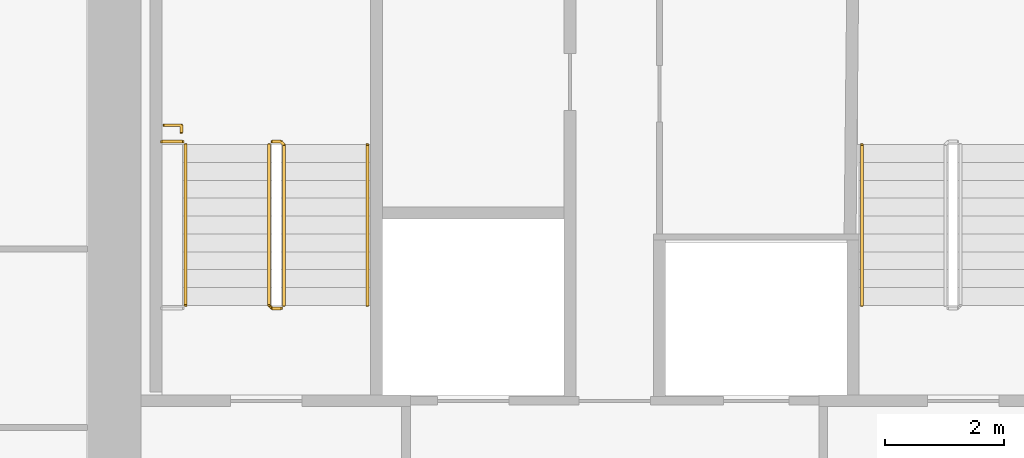
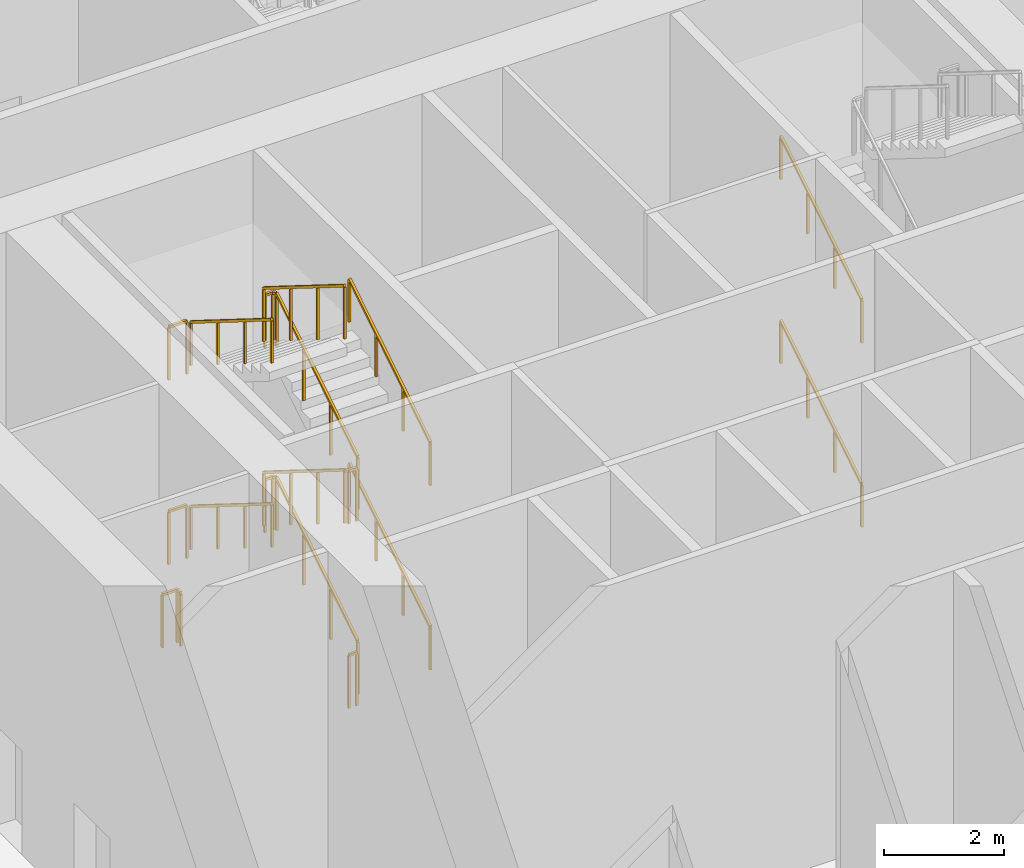
# One storey, part 41 of 53: 14 railings.
"""IFC4 building model written with IfcOpenShell, lengths in metres."""

from ifc_helpers import new_model, si_unit, direction, frame, origin, origin_2d, place, context, subcontext, project, spatial, rectangle, extrude, material, type_object, element, save


model = new_model("IFC4")

# Units and contexts
model_context = context("Model", 3, precision=1e-05, world=origin(), true_north=direction((0.0, 1.0)))
body_context = subcontext(model_context, "Body", "Model", "MODEL_VIEW")
ifc_project = project(units=[si_unit("LENGTHUNIT", "METRE"), si_unit("AREAUNIT", "SQUARE_METRE"), si_unit("VOLUMEUNIT", "CUBIC_METRE"), si_unit("PLANEANGLEUNIT", "RADIAN"), si_unit("MASSUNIT", "GRAM", prefix="KILO")], contexts=[model_context])

# Site, building, storey
site_placement = place(None, origin())
site = spatial("IfcSite", under=ifc_project, at=site_placement, CompositionType="ELEMENT")
building_placement = place(site_placement, origin())
building = spatial("IfcBuilding", under=site, at=building_placement, Name="Vermilion Ogive Tower", CompositionType="ELEMENT")
storey_placement = place(building_placement, origin())
storey = spatial("IfcBuildingStorey", under=building, at=storey_placement, Name="L00", CompositionType="ELEMENT", Elevation=0.0)

# Railings
ifc_material_1 = material(Name="Steel S355 painted", Category="steel")
railing_type_1 = type_object("IfcRailingType", Name="Stair guard 1100", PredefinedType="GUARDRAIL", material=ifc_material_1)
railing_1_placement = place(storey_placement, frame((-5.550048828125, 14.85009765625, 0.1875)))
element("IfcRailing", 1, at=railing_1_placement, inside=storey, type_object=railing_type_1, Name="L00 ST1 stair guard 1", PredefinedType="GUARDRAIL", context=body_context, shape_type="SweptSolid", body=[
    extrude(rectangle(XDim=0.048095703125, YDim=0.048095703125, at=origin_2d()), frame((0.0, 0.0, 1.076171875), z_axis=(0.0, 0.847993996163, 0.530005832488), x_axis=(-1.0, 0.0, 0.0)), (0.0, 0.0, 1.0), 3.183837890625),
    extrude(rectangle(XDim=0.048095703125, YDim=0.048095703125, at=origin_2d()), frame((0.0, 2.699951171875, 2.763671875), z_axis=(-0.707106781187, 0.707106781187, 0.0), x_axis=(-0.707106781187, -0.707106781187, 0.0)), (0.0, 0.0, 1.0), 0.07080078125),
    extrude(rectangle(XDim=0.048095703125, YDim=0.048095703125, at=origin_2d()), frame((-0.050048828125, 2.75, 2.763671875), z_axis=(-1.0, 0.0, 0.0), x_axis=(0.0, -1.0, 0.0)), (0.0, 0.0, 1.0), 0.14990234375),
    extrude(rectangle(XDim=0.0419921875, YDim=0.0419921875, at=origin_2d()), origin(), (0.0, 0.0, 1.0), 1.052001953125),
    extrude(rectangle(XDim=0.0419921875, YDim=0.0419921875, at=origin_2d()), frame((0.0, 0.89990234375, 0.5625)), (0.0, 0.0, 1.0), 1.052001953125),
    extrude(rectangle(XDim=0.0419921875, YDim=0.0419921875, at=origin_2d()), frame((0.0, 1.800048828125, 1.125)), (0.0, 0.0, 1.0), 1.052001953125),
    extrude(rectangle(XDim=0.0419921875, YDim=0.0419921875, at=origin_2d()), frame((0.0, 2.699951171875, 1.6875)), (0.0, 0.0, 1.0), 1.052001953125),
    extrude(rectangle(XDim=0.0419921875, YDim=0.0419921875, at=origin_2d()), frame((-0.050048828125, 2.75, 1.6875)), (0.0, 0.0, 1.0), 1.052001953125),
    extrude(rectangle(XDim=0.0419921875, YDim=0.0419921875, at=origin_2d()), frame((-0.199951171875, 2.75, 1.6875)), (0.0, 0.0, 1.0), 1.052001953125),
])
railing_2_placement = place(storey_placement, frame((-5.800048828125, 17.550048828125, 2.0625)))
element("IfcRailing", 2, at=railing_2_placement, inside=storey, type_object=railing_type_1, Name="L00 ST1 stair guard 3", PredefinedType="GUARDRAIL", context=body_context, shape_type="SweptSolid", body=[
    extrude(rectangle(XDim=0.048095703125, YDim=0.048095703125, at=origin_2d()), frame((0.0, 0.0, 1.076171875), z_axis=(0.0, -0.847993996163, 0.530005832488), x_axis=(1.0, 0.0, 0.0)), (0.0, 0.0, 1.0), 3.183837890625),
    extrude(rectangle(XDim=0.048095703125, YDim=0.048095703125, at=origin_2d()), frame((0.0, -2.699951171875, 2.763671875), z_axis=(0.707106781187, -0.707106781187, 0.0), x_axis=(0.707106781187, 0.707106781187, 0.0)), (0.0, 0.0, 1.0), 0.07080078125),
    extrude(rectangle(XDim=0.048095703125, YDim=0.048095703125, at=origin_2d()), frame((0.050048828125, -2.75, 2.763671875), z_axis=(1.0, 0.0, 0.0), x_axis=(0.0, 1.0, 0.0)), (0.0, 0.0, 1.0), 0.14990234375),
    extrude(rectangle(XDim=0.0419921875, YDim=0.0419921875, at=origin_2d()), origin(), (0.0, 0.0, 1.0), 1.052001953125),
    extrude(rectangle(XDim=0.0419921875, YDim=0.0419921875, at=origin_2d()), frame((0.0, -0.89990234375, 0.5625)), (0.0, 0.0, 1.0), 1.052001953125),
    extrude(rectangle(XDim=0.0419921875, YDim=0.0419921875, at=origin_2d()), frame((0.0, -1.800048828125, 1.125)), (0.0, 0.0, 1.0), 1.052001953125),
    extrude(rectangle(XDim=0.0419921875, YDim=0.0419921875, at=origin_2d()), frame((0.0, -2.699951171875, 1.6875)), (0.0, 0.0, 1.0), 1.052001953125),
    extrude(rectangle(XDim=0.0419921875, YDim=0.0419921875, at=origin_2d()), frame((0.050048828125, -2.75, 1.6875)), (0.0, 0.0, 1.0), 1.052001953125),
    extrude(rectangle(XDim=0.0419921875, YDim=0.0419921875, at=origin_2d()), frame((0.199951171875, -2.75, 1.6875)), (0.0, 0.0, 1.0), 1.052001953125),
])
railing_3_placement = place(storey_placement, frame((-5.550048828125, 14.85009765625, 3.9375)))
element("IfcRailing", 3, at=railing_3_placement, inside=storey, type_object=railing_type_1, Name="L00 ST1 stair guard 5", PredefinedType="GUARDRAIL", context=body_context, shape_type="SweptSolid", body=[
    extrude(rectangle(XDim=0.048095703125, YDim=0.048095703125, at=origin_2d()), frame((0.0, 0.0, 1.076171875), z_axis=(0.0, 0.847993996163, 0.530005832488), x_axis=(-1.0, 0.0, 0.0)), (0.0, 0.0, 1.0), 3.183837890625),
    extrude(rectangle(XDim=0.048095703125, YDim=0.048095703125, at=origin_2d()), frame((0.0, 2.699951171875, 2.763671875), z_axis=(-0.707106781187, 0.707106781187, 0.0), x_axis=(-0.707106781187, -0.707106781187, 0.0)), (0.0, 0.0, 1.0), 0.07080078125),
    extrude(rectangle(XDim=0.048095703125, YDim=0.048095703125, at=origin_2d()), frame((-0.050048828125, 2.75, 2.763671875), z_axis=(-1.0, 0.0, 0.0), x_axis=(0.0, -1.0, 0.0)), (0.0, 0.0, 1.0), 0.14990234375),
    extrude(rectangle(XDim=0.0419921875, YDim=0.0419921875, at=origin_2d()), origin(), (0.0, 0.0, 1.0), 1.052001953125),
    extrude(rectangle(XDim=0.0419921875, YDim=0.0419921875, at=origin_2d()), frame((0.0, 0.89990234375, 0.5625)), (0.0, 0.0, 1.0), 1.052001953125),
    extrude(rectangle(XDim=0.0419921875, YDim=0.0419921875, at=origin_2d()), frame((0.0, 1.800048828125, 1.125)), (0.0, 0.0, 1.0), 1.052001953125),
    extrude(rectangle(XDim=0.0419921875, YDim=0.0419921875, at=origin_2d()), frame((0.0, 2.699951171875, 1.6875)), (0.0, 0.0, 1.0), 1.052001953125),
    extrude(rectangle(XDim=0.0419921875, YDim=0.0419921875, at=origin_2d()), frame((-0.050048828125, 2.75, 1.6875)), (0.0, 0.0, 1.0), 1.052001953125),
    extrude(rectangle(XDim=0.0419921875, YDim=0.0419921875, at=origin_2d()), frame((-0.199951171875, 2.75, 1.6875)), (0.0, 0.0, 1.0), 1.052001953125),
])
railing_4_placement = place(storey_placement, frame((-5.800048828125, 17.550048828125, 5.8125)))
element("IfcRailing", 4, at=railing_4_placement, inside=storey, type_object=railing_type_1, Name="L00 ST1 stair guard 7", PredefinedType="GUARDRAIL", context=body_context, shape_type="SweptSolid", body=[
    extrude(rectangle(XDim=0.048095703125, YDim=0.048095703125, at=origin_2d()), frame((0.0, 0.0, 1.076171875), z_axis=(0.0, -0.847993996163, 0.530005832488), x_axis=(1.0, 0.0, 0.0)), (0.0, 0.0, 1.0), 3.183837890625),
    extrude(rectangle(XDim=0.0419921875, YDim=0.0419921875, at=origin_2d()), origin(), (0.0, 0.0, 1.0), 1.052001953125),
    extrude(rectangle(XDim=0.0419921875, YDim=0.0419921875, at=origin_2d()), frame((0.0, -0.89990234375, 0.5625)), (0.0, 0.0, 1.0), 1.052001953125),
    extrude(rectangle(XDim=0.0419921875, YDim=0.0419921875, at=origin_2d()), frame((0.0, -1.800048828125, 1.125)), (0.0, 0.0, 1.0), 1.052001953125),
    extrude(rectangle(XDim=0.0419921875, YDim=0.0419921875, at=origin_2d()), frame((0.0, -2.699951171875, 1.6875)), (0.0, 0.0, 1.0), 1.052001953125),
])
railing_5_placement = place(storey_placement, frame((-5.60009765625, 14.800048828125, 0.0)))
element("IfcRailing", 5, at=railing_5_placement, inside=storey, type_object=railing_type_1, Name="L00 ST1 stair guard 8", PredefinedType="GUARDRAIL", context=body_context, shape_type="SweptSolid", body=[
    extrude(rectangle(XDim=0.048095703125, YDim=0.048095703125, at=origin_2d()), frame((0.0, 0.0, 1.076171875), z_axis=(-1.0, 0.0, 0.0), x_axis=(0.0, -1.0, 0.0)), (0.0, 0.0, 1.0), 0.14990234375),
    extrude(rectangle(XDim=0.0419921875, YDim=0.0419921875, at=origin_2d()), origin(), (0.0, 0.0, 1.0), 1.052001953125),
    extrude(rectangle(XDim=0.0419921875, YDim=0.0419921875, at=origin_2d()), frame((-0.14990234375, 0.0, 0.0)), (0.0, 0.0, 1.0), 1.052001953125),
])
for number, where, name in (
    (6, (-7.60009765625, 17.60009765625, 1.875), "L00 landing guard"),
    (7, (-7.60009765625, 17.60009765625, 5.625), "L00 landing guard"),
):
    element("IfcRailing", number, at=place(storey_placement, frame(where)), inside=storey, type_object=railing_type_1, Name=name, PredefinedType="GUARDRAIL", context=body_context, shape_type="SweptSolid", body=[
        extrude(rectangle(XDim=0.048095703125, YDim=0.048095703125, at=origin_2d()), frame((0.0, 0.0, 1.076171875), z_axis=(1.0, 0.0, 0.0), x_axis=(0.0, 1.0, 0.0)), (0.0, 0.0, 1.0), 0.35009765625),
        extrude(rectangle(XDim=0.0419921875, YDim=0.0419921875, at=origin_2d()), origin(), (0.0, 0.0, 1.0), 1.052001953125),
        extrude(rectangle(XDim=0.0419921875, YDim=0.0419921875, at=origin_2d()), frame((0.35009765625, 0.0, 0.0)), (0.0, 0.0, 1.0), 1.052001953125),
    ])
railing_6_placement = place(storey_placement, frame((-7.56298828125, 17.87451171875, 0.0)))
element("IfcRailing", 8, at=railing_6_placement, inside=storey, type_object=railing_type_1, Name="L00 stair opening guard", PredefinedType="GUARDRAIL", context=body_context, shape_type="SweptSolid", body=[
    extrude(rectangle(XDim=0.048095703125, YDim=0.048095703125, at=origin_2d()), frame((0.0, 0.0, 1.076171875), z_axis=(1.0, 0.0, 0.0), x_axis=(0.0, 1.0, 0.0)), (0.0, 0.0, 1.0), 0.2900390625),
    extrude(rectangle(XDim=0.048095703125, YDim=0.048095703125, at=origin_2d()), frame((0.2900390625, 0.0, 1.076171875), z_axis=(0.0, -1.0, 0.0), x_axis=(1.0, 0.0, 0.0)), (0.0, 0.0, 1.0), 0.119873046875),
    extrude(rectangle(XDim=0.0419921875, YDim=0.0419921875, at=origin_2d()), origin(), (0.0, 0.0, 1.0), 1.052001953125),
    extrude(rectangle(XDim=0.0419921875, YDim=0.0419921875, at=origin_2d()), frame((0.2900390625, 0.0, 0.0)), (0.0, 0.0, 1.0), 1.052001953125),
    extrude(rectangle(XDim=0.0419921875, YDim=0.0419921875, at=origin_2d()), frame((0.2900390625, -0.119873046875, 0.0)), (0.0, 0.0, 1.0), 1.052001953125),
])
ifc_material_2 = material(Name="Stainless steel", Category="steel")
railing_type_2 = type_object("IfcRailingType", Name="Stair handrail 900", PredefinedType="HANDRAIL", material=ifc_material_2)
railing_7_placement = place(storey_placement, frame((-4.14990234375, 14.85009765625, 0.1875)))
element("IfcRailing", 9, at=railing_7_placement, inside=storey, type_object=railing_type_2, Name="L00 ST1 stair handrail 1", PredefinedType="HANDRAIL", context=body_context, shape_type="SweptSolid", body=[
    extrude(rectangle(XDim=0.048095703125, YDim=0.048095703125, at=origin_2d()), frame((0.0, 0.0, 0.8759765625), z_axis=(0.0, 0.847993996163, 0.530005832488), x_axis=(-1.0, 0.0, 0.0)), (0.0, 0.0, 1.0), 3.183837890625),
    extrude(rectangle(XDim=0.0419921875, YDim=0.0419921875, at=origin_2d()), origin(), (0.0, 0.0, 1.0), 0.851806640625),
    extrude(rectangle(XDim=0.0419921875, YDim=0.0419921875, at=origin_2d()), frame((0.0, 0.89990234375, 0.5625)), (0.0, 0.0, 1.0), 0.851806640625),
    extrude(rectangle(XDim=0.0419921875, YDim=0.0419921875, at=origin_2d()), frame((0.0, 1.800048828125, 1.125)), (0.0, 0.0, 1.0), 0.851806640625),
    extrude(rectangle(XDim=0.0419921875, YDim=0.0419921875, at=origin_2d()), frame((0.0, 2.699951171875, 1.6875)), (0.0, 0.0, 1.0), 0.851806640625),
])
railing_8_placement = place(storey_placement, frame((-7.199951171875, 17.550048828125, 2.0625)))
element("IfcRailing", 10, at=railing_8_placement, inside=storey, type_object=railing_type_2, Name="L00 ST1 stair handrail 2", PredefinedType="HANDRAIL", context=body_context, shape_type="SweptSolid", body=[
    extrude(rectangle(XDim=0.048095703125, YDim=0.048095703125, at=origin_2d()), frame((0.0, 0.0, 0.8759765625), z_axis=(0.0, -0.847993996163, 0.530005832488), x_axis=(1.0, 0.0, 0.0)), (0.0, 0.0, 1.0), 3.183837890625),
    extrude(rectangle(XDim=0.0419921875, YDim=0.0419921875, at=origin_2d()), origin(), (0.0, 0.0, 1.0), 0.851806640625),
    extrude(rectangle(XDim=0.0419921875, YDim=0.0419921875, at=origin_2d()), frame((0.0, -0.89990234375, 0.5625)), (0.0, 0.0, 1.0), 0.851806640625),
    extrude(rectangle(XDim=0.0419921875, YDim=0.0419921875, at=origin_2d()), frame((0.0, -1.800048828125, 1.125)), (0.0, 0.0, 1.0), 0.851806640625),
    extrude(rectangle(XDim=0.0419921875, YDim=0.0419921875, at=origin_2d()), frame((0.0, -2.699951171875, 1.6875)), (0.0, 0.0, 1.0), 0.851806640625),
])
railing_9_placement = place(storey_placement, frame((-4.14990234375, 14.85009765625, 3.9375)))
element("IfcRailing", 11, at=railing_9_placement, inside=storey, type_object=railing_type_2, Name="L00 ST1 stair handrail 3", PredefinedType="HANDRAIL", context=body_context, shape_type="SweptSolid", body=[
    extrude(rectangle(XDim=0.048095703125, YDim=0.048095703125, at=origin_2d()), frame((0.0, 0.0, 0.8759765625), z_axis=(0.0, 0.847993996163, 0.530005832488), x_axis=(-1.0, 0.0, 0.0)), (0.0, 0.0, 1.0), 3.183837890625),
    extrude(rectangle(XDim=0.0419921875, YDim=0.0419921875, at=origin_2d()), origin(), (0.0, 0.0, 1.0), 0.851806640625),
    extrude(rectangle(XDim=0.0419921875, YDim=0.0419921875, at=origin_2d()), frame((0.0, 0.89990234375, 0.5625)), (0.0, 0.0, 1.0), 0.851806640625),
    extrude(rectangle(XDim=0.0419921875, YDim=0.0419921875, at=origin_2d()), frame((0.0, 1.800048828125, 1.125)), (0.0, 0.0, 1.0), 0.851806640625),
    extrude(rectangle(XDim=0.0419921875, YDim=0.0419921875, at=origin_2d()), frame((0.0, 2.699951171875, 1.6875)), (0.0, 0.0, 1.0), 0.851806640625),
])
railing_10_placement = place(storey_placement, frame((-7.199951171875, 17.550048828125, 5.8125)))
element("IfcRailing", 12, at=railing_10_placement, inside=storey, type_object=railing_type_2, Name="L00 ST1 stair handrail 4", PredefinedType="HANDRAIL", context=body_context, shape_type="SweptSolid", body=[
    extrude(rectangle(XDim=0.048095703125, YDim=0.048095703125, at=origin_2d()), frame((0.0, 0.0, 0.8759765625), z_axis=(0.0, -0.847993996163, 0.530005832488), x_axis=(1.0, 0.0, 0.0)), (0.0, 0.0, 1.0), 3.183837890625),
    extrude(rectangle(XDim=0.0419921875, YDim=0.0419921875, at=origin_2d()), origin(), (0.0, 0.0, 1.0), 0.851806640625),
    extrude(rectangle(XDim=0.0419921875, YDim=0.0419921875, at=origin_2d()), frame((0.0, -0.89990234375, 0.5625)), (0.0, 0.0, 1.0), 0.851806640625),
    extrude(rectangle(XDim=0.0419921875, YDim=0.0419921875, at=origin_2d()), frame((0.0, -1.800048828125, 1.125)), (0.0, 0.0, 1.0), 0.851806640625),
    extrude(rectangle(XDim=0.0419921875, YDim=0.0419921875, at=origin_2d()), frame((0.0, -2.699951171875, 1.6875)), (0.0, 0.0, 1.0), 0.851806640625),
])
for number, where, name in (
    (13, (4.14990234375, 14.85009765625, 0.1875), "L00 ST2 stair handrail 1"),
    (14, (4.14990234375, 14.85009765625, 3.9375), "L00 ST2 stair handrail 3"),
):
    element("IfcRailing", number, at=place(storey_placement, frame(where)), inside=storey, type_object=railing_type_2, Name=name, PredefinedType="HANDRAIL", context=body_context, shape_type="SweptSolid", body=[
        extrude(rectangle(XDim=0.048095703125, YDim=0.048095703125, at=origin_2d()), frame((0.0, 0.0, 0.8759765625), z_axis=(0.0, 0.847993996163, 0.530005832488), x_axis=(-1.0, 0.0, 0.0)), (0.0, 0.0, 1.0), 3.183837890625),
        extrude(rectangle(XDim=0.0419921875, YDim=0.0419921875, at=origin_2d()), origin(), (0.0, 0.0, 1.0), 0.851806640625),
        extrude(rectangle(XDim=0.0419921875, YDim=0.0419921875, at=origin_2d()), frame((0.0, 0.89990234375, 0.5625)), (0.0, 0.0, 1.0), 0.851806640625),
        extrude(rectangle(XDim=0.0419921875, YDim=0.0419921875, at=origin_2d()), frame((0.0, 1.800048828125, 1.125)), (0.0, 0.0, 1.0), 0.851806640625),
        extrude(rectangle(XDim=0.0419921875, YDim=0.0419921875, at=origin_2d()), frame((0.0, 2.699951171875, 1.6875)), (0.0, 0.0, 1.0), 0.851806640625),
    ])

save(model, "model.ifc")
